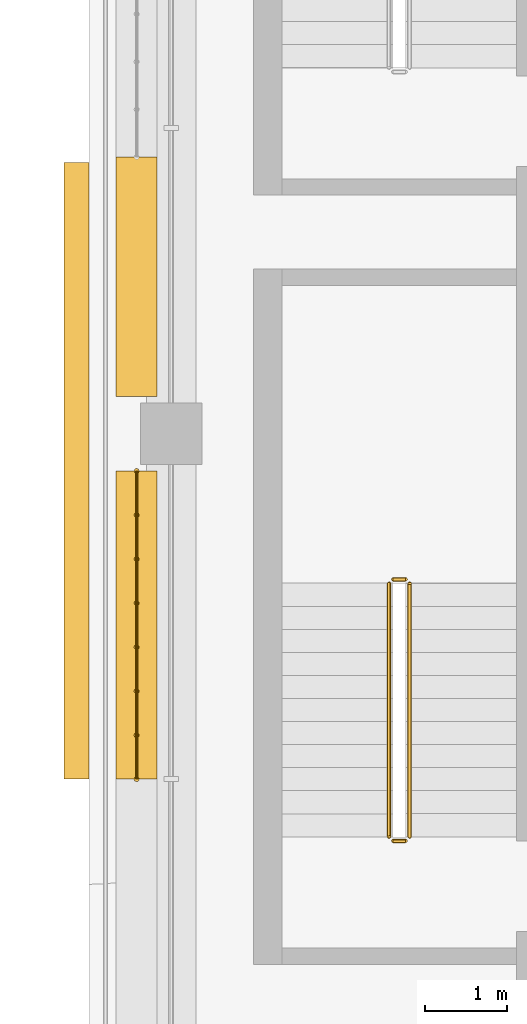
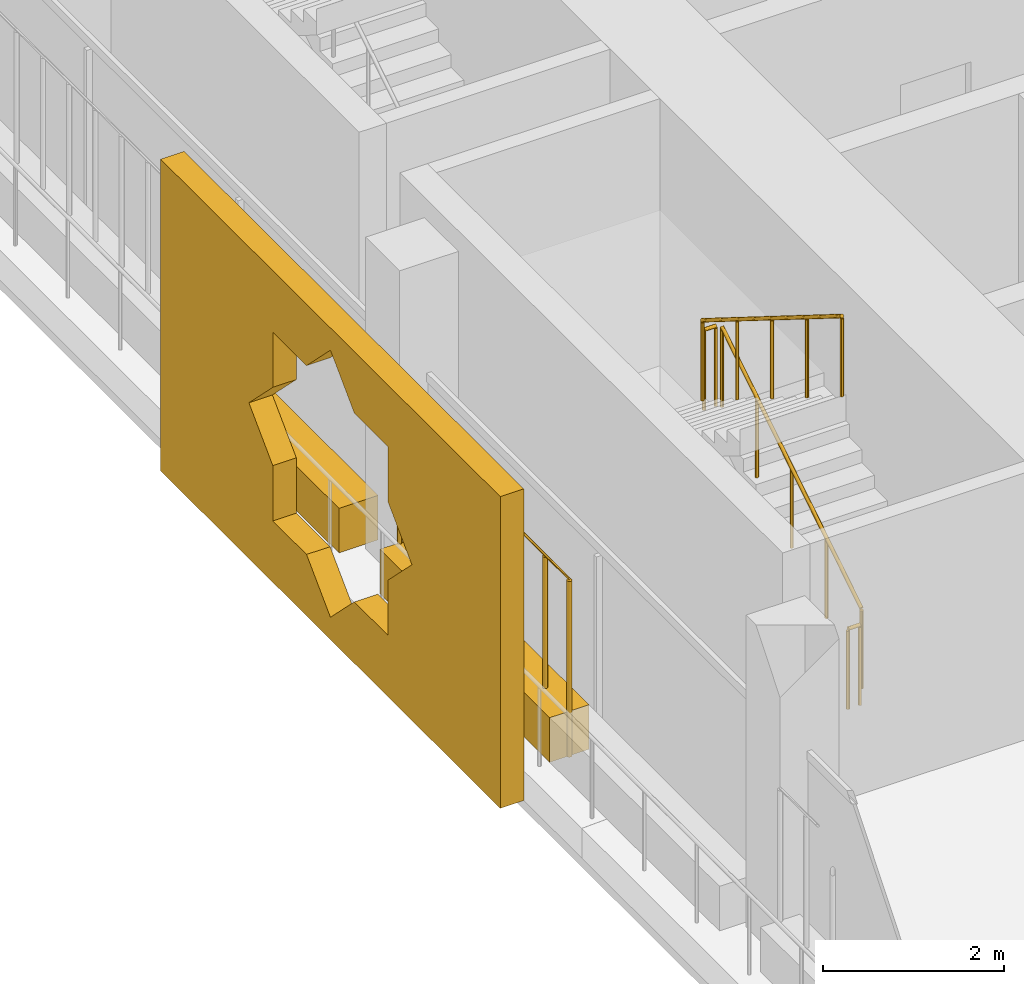
# One storey, part 17 of 21: 5 railings, 3 coverings.
"""IFC4 building model written with IfcOpenShell, lengths in metres."""

import ifcopenshell
import ifcopenshell.guid

model = None  # the IFC model being written
_history = None  # IfcOwnerHistory: only IFC2X3 demands one
_inside = {}  # id of a spatial element -> (the spatial element, [elements in it])
_under = {}  # id of a project, library or spatial element -> (it, [spatial elements below it])
_declared = {}  # id of a project -> (the project, [libraries it declares])
_typed = {}  # id of a type object -> (the type object, [elements of that type])
_made_of = {}  # id of a material, layer set ... -> (it, [elements and type objects made of it])


def new_model(schema):
    """Start an empty IFC model of exactly this schema.

    Asked for "IFC4X3", IfcOpenShell would pick the latest addendum, in which some entities
    have other attributes; the version numbers below select the first issue.
    IFC2X3 requires an IfcOwnerHistory on every rooted entity: one is made here for all.
    """
    global model, _history
    if schema == "IFC4X3":
        model = ifcopenshell.file(schema_version=(4, 3, 0, 0))
    else:
        model = ifcopenshell.file(schema=schema)
    _inside.clear()
    _under.clear()
    _declared.clear()
    _typed.clear()
    _made_of.clear()
    _history = None
    if model.schema == "IFC2X3":
        org = make("IfcOrganization", Name="unknown")
        user = make(
            "IfcPersonAndOrganization",
            ThePerson=make("IfcPerson", FamilyName="unknown"),
            TheOrganization=org,
        )
        app = make(
            "IfcApplication",
            ApplicationDeveloper=org,
            Version="unknown",
            ApplicationFullName="unknown",
            ApplicationIdentifier="unknown",
        )
        _history = make(
            "IfcOwnerHistory",
            OwningUser=user,
            OwningApplication=app,
            ChangeAction="ADDED",
            CreationDate=0,
        )
    return model


def make(cls, **values):
    """One entity of the class cls with the attributes given. An attribute that is None is left unset."""
    return model.create_entity(
        cls, **{name: value for name, value in values.items() if value is not None}
    )


def rooted(cls, **values):
    """An entity with a GlobalId (a new one), such as an element, a storey or a relation."""
    return make(cls, GlobalId=ifcopenshell.guid.new(), OwnerHistory=_history, **values)


def si_unit(unit_type, name, prefix=None):
    """IfcSIUnit, for example si_unit("LENGTHUNIT", "METRE", prefix="MILLI")."""
    return make("IfcSIUnit", UnitType=unit_type, Prefix=prefix, Name=name)


def assignment(units):
    """IfcUnitAssignment: the units of a project."""
    return None if units is None else make("IfcUnitAssignment", Units=units)


def point(xyz):
    """IfcCartesianPoint."""
    return None if xyz is None else make("IfcCartesianPoint", Coordinates=xyz)


def direction(xyz):
    """IfcDirection."""
    return None if xyz is None else make("IfcDirection", DirectionRatios=xyz)


def frame(location, z_axis=None, x_axis=None):
    """IfcAxis2Placement3D, a coordinate frame: its origin and axes. An axis left out is left unset."""
    return make(
        "IfcAxis2Placement3D",
        Location=point(location),
        Axis=direction(z_axis),
        RefDirection=direction(x_axis),
    )


def frame_2d(location, x_axis=None):
    """IfcAxis2Placement2D, a coordinate frame in the plane: its origin and x axis."""
    return make(
        "IfcAxis2Placement2D", Location=point(location), RefDirection=direction(x_axis)
    )


def origin():
    """The frame at (0, 0, 0) with its axes left unset."""
    return frame((0.0, 0.0, 0.0))


def origin_2d():
    """The frame at (0, 0) in the plane with its x axis left unset."""
    return frame_2d((0.0, 0.0))


def place(relative_to, where):
    """IfcLocalPlacement: puts the frame where relative to a parent placement (None: the world)."""
    return make(
        "IfcLocalPlacement", PlacementRelTo=relative_to, RelativePlacement=where
    )


def context(
    kind, dimensions, precision=None, world=None, true_north=None, identifier=None
):
    """IfcGeometricRepresentationContext, for example the 3D "Model" context."""
    return make(
        "IfcGeometricRepresentationContext",
        ContextIdentifier=identifier,
        ContextType=kind,
        CoordinateSpaceDimension=dimensions,
        Precision=precision,
        WorldCoordinateSystem=world,
        TrueNorth=true_north,
    )


def subcontext(parent, identifier, kind, view, scale=None):
    """IfcGeometricRepresentationSubContext, for example "Body" below "Model"."""
    return make(
        "IfcGeometricRepresentationSubContext",
        ContextIdentifier=identifier,
        ContextType=kind,
        ParentContext=parent,
        TargetScale=scale,
        TargetView=view,
    )


def project(units=None, contexts=None):
    """IfcProject with its units and contexts."""
    return rooted(
        "IfcProject",
        Name="project",
        RepresentationContexts=contexts,
        UnitsInContext=assignment(units),
    )


def spatial(cls, under=None, at=None, **own):
    """A site, building, storey or space (cls), placed at a placement, below another one or the project."""
    s = rooted(cls, ObjectPlacement=at, **own)
    if under is not None:
        _under.setdefault(under.id(), (under, []))[1].append(s)
    return s


def polyline(points):
    """IfcPolyline through the points."""
    return make("IfcPolyline", Points=[point(p) for p in points])


def profile(cls, at=None, kind="AREA", **sizes):
    """A parametric profile (cls). Its sizes go by their IFC names, for example OverallWidth=200.0."""
    return make(cls, ProfileType=kind, Position=at, **sizes)


def rectangle(**sizes):
    """IfcRectangleProfileDef."""
    return profile("IfcRectangleProfileDef", **sizes)


def circle(**sizes):
    """IfcCircleProfileDef."""
    return profile("IfcCircleProfileDef", **sizes)


def outline(outer, holes=None, kind="AREA"):
    """IfcArbitraryClosedProfileDef: a profile drawn as a closed curve; with holes, ...WithVoids."""
    if holes is None:
        return make("IfcArbitraryClosedProfileDef", ProfileType=kind, OuterCurve=outer)
    return make(
        "IfcArbitraryProfileDefWithVoids",
        ProfileType=kind,
        OuterCurve=outer,
        InnerCurves=holes,
    )


def extrude(swept, where, along, depth):
    """IfcExtrudedAreaSolid: the profile swept, set in the frame where, extruded along a direction by depth."""
    return make(
        "IfcExtrudedAreaSolid",
        SweptArea=swept,
        Position=where,
        ExtrudedDirection=direction(along),
        Depth=depth,
    )


def shape(context_of_items, identifier, shape_type, items):
    """IfcShapeRepresentation: the items that make up one representation, for example the "Body"."""
    return make(
        "IfcShapeRepresentation",
        ContextOfItems=context_of_items,
        RepresentationIdentifier=identifier,
        RepresentationType=shape_type,
        Items=items,
    )


def material(Name=None, Category=None):
    """IfcMaterial."""
    return make("IfcMaterial", Name=Name, Category=Category)


def material_profile(
    of_material, cross_section, Name=None, Category=None, Priority=None
):
    """IfcMaterialProfile: a cross section and its material."""
    return make(
        "IfcMaterialProfile",
        Name=Name,
        Material=of_material,
        Profile=cross_section,
        Priority=Priority,
        Category=Category,
    )


def profile_set(profiles, Name=None, composite=None):
    """IfcMaterialProfileSet."""
    return make(
        "IfcMaterialProfileSet",
        Name=Name,
        MaterialProfiles=profiles,
        CompositeProfile=composite,
    )


def made_of(thing, what):
    """Note that an element or type object is made of a material, layer set ...; save() writes the relation."""
    if what is not None:
        _made_of.setdefault(what.id(), (what, []))[1].append(thing)
    return thing


def type_object(cls, material=None, **own):
    """A type object (cls), such as IfcWallType, which elements share."""
    return made_of(rooted(cls, **own), material)


def element(
    cls,
    number,
    at=None,
    inside=None,
    cuts=None,
    type_object=None,
    material=None,
    context=None,
    identifier="Body",
    shape_type=None,
    held_by="IfcProductDefinitionShape",
    body=None,
    shapes=None,
    **own,
):
    """One element of the class cls, such as IfcWall. Its Tag is "e" and its number.

    at: its placement. inside: the storey or other place that contains it. cuts: it is an
    opening in that element (IfcRelVoidsElement). A single representation is given by context,
    identifier, shape_type and body (its items); several are given by shapes. held_by: the class
    of the entity that holds the representations. save() writes the other relations.
    """
    e = rooted(cls, Tag="e%d" % number, ObjectPlacement=at, **own)
    if body is not None:
        shapes = [shape(context, identifier, shape_type, body)]
    if shapes is not None:
        e.Representation = make(held_by, Representations=shapes)
    if inside is not None:
        _inside.setdefault(inside.id(), (inside, []))[1].append(e)
    if cuts is not None:
        rooted(
            "IfcRelVoidsElement", RelatingBuildingElement=cuts, RelatedOpeningElement=e
        )
    if type_object is not None:
        _typed.setdefault(type_object.id(), (type_object, []))[1].append(e)
    return made_of(e, material)


def aggregate(whole, parts):
    """IfcRelAggregates: a whole, such as a stair, and the parts it consists of."""
    return rooted("IfcRelAggregates", RelatingObject=whole, RelatedObjects=parts)


def save(model, path):
    """Write the relations noted so far, then the file.

    IfcRelAggregates (storeys below a building ...), IfcRelContainedInSpatialStructure (elements
    in a storey), IfcRelDefinesByType, IfcRelAssociatesMaterial and IfcRelDeclares: one each for
    every whole, place, type object, material and project.
    """
    for whole, parts in _under.values():
        aggregate(whole, parts)
    for where, things in _inside.values():
        rooted(
            "IfcRelContainedInSpatialStructure",
            RelatedElements=things,
            RelatingStructure=where,
        )
    for kind, things in _typed.values():
        rooted("IfcRelDefinesByType", RelatedObjects=things, RelatingType=kind)
    for what, things in _made_of.values():
        rooted("IfcRelAssociatesMaterial", RelatedObjects=things, RelatingMaterial=what)
    for by, libraries in _declared.values():
        rooted("IfcRelDeclares", RelatingContext=by, RelatedDefinitions=libraries)
    model.write(path)


model = new_model("IFC4")

# Units and contexts
model_context = context("Model", 3, precision=1e-05, world=origin(), true_north=direction((0.0, 1.0)))
body_context = subcontext(model_context, "Body", "Model", "MODEL_VIEW")
ifc_project = project(units=[si_unit("LENGTHUNIT", "METRE"), si_unit("AREAUNIT", "SQUARE_METRE"), si_unit("VOLUMEUNIT", "CUBIC_METRE"), si_unit("PLANEANGLEUNIT", "RADIAN"), si_unit("MASSUNIT", "GRAM", prefix="KILO")], contexts=[model_context])

# Site, building, storey
site_placement = place(None, origin())
site = spatial("IfcSite", under=ifc_project, at=site_placement, CompositionType="ELEMENT")
building_placement = place(site_placement, origin())
building = spatial("IfcBuilding", under=site, at=building_placement, Name="Kawkab Arch Medical Tower", CompositionType="ELEMENT")
storey_placement = place(building_placement, frame((0.0, 0.0, 307.0)))
storey = spatial("IfcBuildingStorey", under=building, at=storey_placement, Name="L71", CompositionType="ELEMENT", Elevation=307.0)

# Coverings
ifc_material_1 = material(Name="Bronze anodised aluminium mashrabiya panel, eight-point star pattern", Category="aluminium")
ifc_material_profile_1 = material_profile(ifc_material_1, outline(polyline([(-3.75, -2.10009765625), (3.75, -2.10009765625), (3.75, 2.10009765625), (-3.75, 2.10009765625), (-3.75, -2.10009765625)]), holes=[polyline([(1.800048828125, 0.0), (1.272705078125, 0.527099609375), (1.272705078125, 1.272705078125), (0.527099609375, 1.272705078125), (0.0, 1.800048828125), (-0.527099609375, 1.272705078125), (-1.272705078125, 1.272705078125), (-1.272705078125, 0.527099609375), (-1.800048828125, 0.0), (-1.272705078125, -0.527099609375), (-1.272705078125, -1.272705078125), (-0.527099609375, -1.272705078125), (0.0, -1.800048828125), (0.527099609375, -1.272705078125), (1.272705078125, -1.272705078125), (1.272705078125, -0.527099609375), (1.800048828125, 0.0)])]), Name="Mashrabiya panel 7500x4200")
ifc_profile_set_1 = profile_set([ifc_material_profile_1], Name="Bronze anodised aluminium mashrabiya panel, eight-point star pattern")
covering_type_1 = type_object("IfcCoveringType", Name="Mashrabiya panel 7500 x 4200", PredefinedType="USERDEFINED", material=ifc_profile_set_1)
covering_1_placement = place(storey_placement, frame((-1.0, -17.24951171875, 1.699951171875), z_axis=(-1.0, 0.0, 0.0), x_axis=(0.0, -1.0, 0.0)))
element("IfcCovering", 1, at=covering_1_placement, inside=storey, type_object=covering_type_1, Name="Mashrabiya panel L71.LOG-01-01.2", ObjectType="SCREEN", PredefinedType="USERDEFINED", context=body_context, shape_type="SweptSolid", body=[
    extrude(outline(polyline([(-3.75, -2.10009765625), (3.75, -2.10009765625), (3.75, 2.10009765625), (-3.75, 2.10009765625), (-3.75, -2.10009765625)]), holes=[polyline([(1.800048828125, 0.0), (1.272705078125, 0.527099609375), (1.272705078125, 1.272705078125), (0.527099609375, 1.272705078125), (0.0, 1.800048828125), (-0.527099609375, 1.272705078125), (-1.272705078125, 1.272705078125), (-1.272705078125, 0.527099609375), (-1.800048828125, 0.0), (-1.272705078125, -0.527099609375), (-1.272705078125, -1.272705078125), (-0.527099609375, -1.272705078125), (0.0, -1.800048828125), (0.527099609375, -1.272705078125), (1.272705078125, -1.272705078125), (1.272705078125, -0.527099609375), (1.800048828125, 0.0)])]), origin(), (0.0, 0.0, 1.0), 0.300048828125),
])
ifc_material_2 = material(Name="Planting soil in a precast trough", Category="concrete")
ifc_material_profile_2 = material_profile(ifc_material_2, rectangle(XDim=0.5, YDim=0.60009765625, at=origin_2d()), Name="Trough 500x600")
ifc_profile_set_2 = profile_set([ifc_material_profile_2], Name="Planting soil in a precast trough")
covering_type_2 = type_object("IfcCoveringType", Name="Planter trough 500 x 600", PredefinedType="USERDEFINED", material=ifc_profile_set_2)
covering_2_placement = place(storey_placement, frame((-0.419921875, -21.0, 0.300048828125), z_axis=(0.0, 1.0, 0.0), x_axis=(-1.0, 0.0, 0.0)))
element("IfcCovering", 2, at=covering_2_placement, inside=storey, type_object=covering_type_2, Name="Planter L71.LOG-01-01.7", ObjectType="PLANTER", PredefinedType="USERDEFINED", context=body_context, shape_type="SweptSolid", body=[
    extrude(rectangle(XDim=0.5, YDim=0.60009765625, at=origin_2d()), origin(), (0.0, 0.0, 1.0), 3.7470703125),
])
covering_3_placement = place(storey_placement, frame((-0.419921875, -16.346923828125, 0.300048828125), z_axis=(0.0, 1.0, 0.0), x_axis=(-1.0, 0.0, 0.0)))
element("IfcCovering", 3, at=covering_3_placement, inside=storey, type_object=covering_type_2, Name="Planter L71.LOG-01-01.8", ObjectType="PLANTER", PredefinedType="USERDEFINED", context=body_context, shape_type="SweptSolid", body=[
    extrude(rectangle(XDim=0.5, YDim=0.60009765625, at=origin_2d()), origin(), (0.0, 0.0, 1.0), 2.909912109375),
])

# Railings
ifc_material_3 = material(Name="Bronze anodised aluminium trellis for climbing plants", Category="aluminium")
railing_type_1 = type_object("IfcRailingType", Name="Planting trellis 2400", PredefinedType="USERDEFINED", material=ifc_material_3)
railing_1_placement = place(storey_placement, frame((-0.419921875, -21.0, 0.0)))
element("IfcRailing", 4, at=railing_1_placement, inside=storey, type_object=railing_type_1, Name="Planting trellis L71.LOG-01-01.7", ObjectType="TRELLIS", PredefinedType="USERDEFINED", context=body_context, shape_type="SweptSolid", body=[
    extrude(circle(Radius=0.01513671875, at=origin_2d()), frame((0.0, 0.0, 2.384765625), z_axis=(0.0, 1.0, 0.0), x_axis=(-1.0, 0.0, 0.0)), (0.0, 0.0, 1.0), 3.7470703125),
    extrude(circle(Radius=0.030029296875, at=origin_2d()), origin(), (0.0, 0.0, 1.0), 2.369873046875),
    extrude(circle(Radius=0.030029296875, at=origin_2d()), frame((0.0, 0.535400390625, 0.0)), (0.0, 0.0, 1.0), 2.369873046875),
    extrude(circle(Radius=0.030029296875, at=origin_2d()), frame((0.0, 1.070556640625, 0.0)), (0.0, 0.0, 1.0), 2.369873046875),
    extrude(circle(Radius=0.030029296875, at=origin_2d()), frame((0.0, 1.60595703125, 0.0)), (0.0, 0.0, 1.0), 2.369873046875),
    extrude(circle(Radius=0.030029296875, at=origin_2d()), frame((0.0, 2.14111328125, 0.0)), (0.0, 0.0, 1.0), 2.369873046875),
    extrude(circle(Radius=0.030029296875, at=origin_2d()), frame((0.0, 2.676513671875, 0.0)), (0.0, 0.0, 1.0), 2.369873046875),
    extrude(circle(Radius=0.030029296875, at=origin_2d()), frame((0.0, 3.211669921875, 0.0)), (0.0, 0.0, 1.0), 2.369873046875),
    extrude(circle(Radius=0.030029296875, at=origin_2d()), frame((0.0, 3.7470703125, 0.0)), (0.0, 0.0, 1.0), 2.369873046875),
])
ifc_material_4 = material(Name="Stainless steel", Category="steel")
railing_type_2 = type_object("IfcRailingType", Name="Stair guard 1100", PredefinedType="GUARDRAIL", material=ifc_material_4)
railing_2_placement = place(storey_placement, frame((2.89990234375, -21.699951171875, 0.175048828125)))
element("IfcRailing", 5, at=railing_2_placement, inside=storey, type_object=railing_type_2, Name="L71 ST2 stair guard 1", PredefinedType="GUARDRAIL", context=body_context, shape_type="SweptSolid", body=[
    extrude(circle(Radius=0.02392578125, at=origin_2d()), frame((0.0, 0.0, 1.076171875), z_axis=(0.0, 0.847979421464, 0.530029150871), x_axis=(-1.0, 0.0, 0.0)), (0.0, 0.0, 1.0), 3.632080078125),
    extrude(circle(Radius=0.02099609375, at=origin_2d()), origin(), (0.0, 0.0, 1.0), 1.052001953125),
    extrude(circle(Radius=0.02099609375, at=origin_2d()), frame((0.0, 0.77001953125, 0.481201171875)), (0.0, 0.0, 1.0), 1.052001953125),
    extrude(circle(Radius=0.02099609375, at=origin_2d()), frame((0.0, 1.5400390625, 0.96240234375)), (0.0, 0.0, 1.0), 1.052001953125),
    extrude(circle(Radius=0.02099609375, at=origin_2d()), frame((0.0, 2.309814453125, 1.44384765625)), (0.0, 0.0, 1.0), 1.052001953125),
    extrude(circle(Radius=0.02099609375, at=origin_2d()), frame((0.0, 3.079833984375, 1.925048828125)), (0.0, 0.0, 1.0), 1.052001953125),
])
railing_3_placement = place(storey_placement, frame((2.85009765625, -18.570068359375, 2.10009765625)))
element("IfcRailing", 6, at=railing_3_placement, inside=storey, type_object=railing_type_2, Name="L71 ST2 stair guard 2", PredefinedType="GUARDRAIL", context=body_context, shape_type="SweptSolid", body=[
    extrude(circle(Radius=0.02392578125, at=origin_2d()), frame((0.0, 0.0, 1.076171875), z_axis=(-1.0, 0.0, 0.0), x_axis=(0.0, -1.0, 0.0)), (0.0, 0.0, 1.0), 0.150146484375),
    extrude(circle(Radius=0.02099609375, at=origin_2d()), origin(), (0.0, 0.0, 1.0), 1.052001953125),
    extrude(circle(Radius=0.02099609375, at=origin_2d()), frame((-0.150146484375, 0.0, 0.0)), (0.0, 0.0, 1.0), 1.052001953125),
])
railing_4_placement = place(storey_placement, frame((2.64990234375, -18.6201171875, 2.27490234375)))
element("IfcRailing", 7, at=railing_4_placement, inside=storey, type_object=railing_type_2, Name="L71 ST2 stair guard 3", PredefinedType="GUARDRAIL", context=body_context, shape_type="SweptSolid", body=[
    extrude(circle(Radius=0.02392578125, at=origin_2d()), frame((0.0, 0.0, 1.076171875), z_axis=(0.0, -0.847979421464, 0.530029150871), x_axis=(1.0, 0.0, 0.0)), (0.0, 0.0, 1.0), 3.632080078125),
    extrude(circle(Radius=0.02099609375, at=origin_2d()), origin(), (0.0, 0.0, 1.0), 1.052001953125),
    extrude(circle(Radius=0.02099609375, at=origin_2d()), frame((0.0, -0.77001953125, 0.481201171875)), (0.0, 0.0, 1.0), 1.052001953125),
    extrude(circle(Radius=0.02099609375, at=origin_2d()), frame((0.0, -1.5400390625, 0.96240234375)), (0.0, 0.0, 1.0), 1.052001953125),
    extrude(circle(Radius=0.02099609375, at=origin_2d()), frame((0.0, -2.309814453125, 1.44384765625)), (0.0, 0.0, 1.0), 1.052001953125),
    extrude(circle(Radius=0.02099609375, at=origin_2d()), frame((0.0, -3.079833984375, 1.925048828125)), (0.0, 0.0, 1.0), 1.052001953125),
])
railing_5_placement = place(storey_placement, frame((2.85009765625, -21.75, 0.0)))
element("IfcRailing", 8, at=railing_5_placement, inside=storey, type_object=railing_type_2, Name="L71 ST2 stair guard 4", PredefinedType="GUARDRAIL", context=body_context, shape_type="SweptSolid", body=[
    extrude(circle(Radius=0.02392578125, at=origin_2d()), frame((0.0, 0.0, 1.076171875), z_axis=(-1.0, 0.0, 0.0), x_axis=(0.0, -1.0, 0.0)), (0.0, 0.0, 1.0), 0.150146484375),
    extrude(circle(Radius=0.02099609375, at=origin_2d()), origin(), (0.0, 0.0, 1.0), 1.052001953125),
    extrude(circle(Radius=0.02099609375, at=origin_2d()), frame((-0.150146484375, 0.0, 0.0)), (0.0, 0.0, 1.0), 1.052001953125),
])

save(model, "model.ifc")
